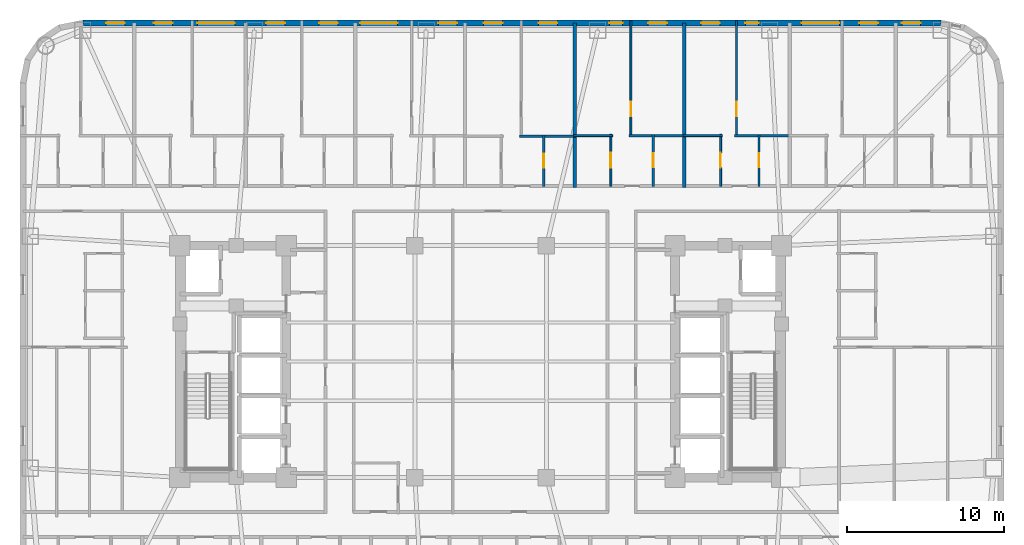
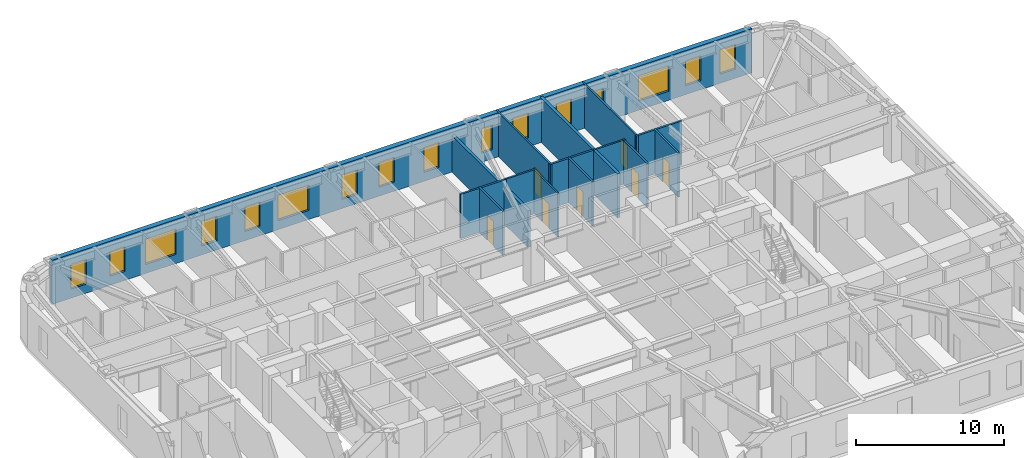
# One storey, part 10 of 13: 16 windows, 15 walls, 7 doors, 23 openings.
"""IFC4 building model written with IfcOpenShell, lengths in metres."""

from ifc_helpers import new_model, si_unit, direction, frame, frame_2d, origin, place, context, subcontext, project, spatial, rectangle, extrude, material, layer, layer_set, type_object, element, fill, save


model = new_model("IFC4")

# Units and contexts
model_context = context("Model", 3, precision=1e-05, world=origin(), true_north=direction((0.0, 1.0)))
body_context = subcontext(model_context, "Body", "Model", "MODEL_VIEW")
ifc_project = project(units=[si_unit("LENGTHUNIT", "METRE"), si_unit("AREAUNIT", "SQUARE_METRE"), si_unit("VOLUMEUNIT", "CUBIC_METRE"), si_unit("PLANEANGLEUNIT", "RADIAN"), si_unit("MASSUNIT", "GRAM", prefix="KILO")], contexts=[model_context])

# Site, building, storey
site_placement = place(None, origin())
site = spatial("IfcSite", under=ifc_project, at=site_placement, CompositionType="ELEMENT")
building_placement = place(site_placement, origin())
building = spatial("IfcBuilding", under=site, at=building_placement, Name="Voryun Gate Residences", CompositionType="ELEMENT")
storey_placement = place(building_placement, frame((0.0, 0.0, 120.89990234375)))
storey = spatial("IfcBuildingStorey", under=building, at=storey_placement, Name="L29", CompositionType="ELEMENT", Elevation=120.89990234375)

# Wall, openings, windows
ifc_material_1 = material(Name="Granite masonry", Category="masonry")
ifc_layer_1 = layer(ifc_material_1, 0.3798828125, Name="W_EXT_GRANITE_380")
ifc_layer_set_1 = layer_set([ifc_layer_1], Name="Granite masonry")
wall_type_1 = type_object("IfcWallType", Name="W_EXT_GRANITE_380", PredefinedType="ELEMENTEDWALL", material=ifc_layer_set_1)
wall_1_placement = place(storey_placement, frame((-25.38134765625, 21.610107421875, 0.0), z_axis=(0.0, 0.0, 1.0), x_axis=(1.0, 0.0, 0.0)))
wall_1 = element("IfcWall", 1, at=wall_1_placement, inside=storey, type_object=wall_type_1, Name="Exterior wall WEXT-L29-11", PredefinedType="ELEMENTEDWALL", context=body_context, shape_type="SweptSolid", body=[
    extrude(rectangle(XDim=54.7626953125, YDim=0.3798828125, at=frame_2d((27.38134765625, 0.0))), origin(), (0.0, 0.0, 1.0), 3.650146484375),
])
opening_1_placement = place(wall_1_placement, frame((7.29541015625, 0.0, 0.75)))
opening_1 = element("IfcOpeningElement", 2, at=opening_1_placement, cuts=wall_1, Name="Opening WN2", PredefinedType="OPENING", context=body_context, shape_type="SweptSolid", body=[
    extrude(rectangle(XDim=2.39990234375, YDim=2.10009765625, at=frame_2d((1.199951171875, 1.050048828125))), frame((0.0, 0.199951171875, 0.0), z_axis=(0.0, -1.0, 0.0), x_axis=(1.0, 0.0, 0.0)), (0.0, 0.0, 1.0), 0.39990234375),
])
opening_2_placement = place(wall_1_placement, frame((17.68603515625, 0.0, 0.75)))
opening_2 = element("IfcOpeningElement", 3, at=opening_2_placement, cuts=wall_1, Name="Opening WN2", PredefinedType="OPENING", context=body_context, shape_type="SweptSolid", body=[
    extrude(rectangle(XDim=2.39990234375, YDim=2.10009765625, at=frame_2d((1.199951171875, 1.050048828125))), frame((0.0, 0.199951171875, 0.0), z_axis=(0.0, -1.0, 0.0), x_axis=(1.0, 0.0, 0.0)), (0.0, 0.0, 1.0), 0.39990234375),
])
opening_3_placement = place(wall_1_placement, frame((45.8671875, 0.0, 0.75)))
opening_3 = element("IfcOpeningElement", 4, at=opening_3_placement, cuts=wall_1, Name="Opening WN2", PredefinedType="OPENING", context=body_context, shape_type="SweptSolid", body=[
    extrude(rectangle(XDim=2.39990234375, YDim=2.10009765625, at=frame_2d((1.199951171875, 1.050048828125))), frame((0.0, 0.199951171875, 0.0), z_axis=(0.0, -1.0, 0.0), x_axis=(1.0, 0.0, 0.0)), (0.0, 0.0, 1.0), 0.39990234375),
])
opening_4_placement = place(wall_1_placement, frame((1.481201171875, 0.0, 0.75)))
opening_4 = element("IfcOpeningElement", 5, at=opening_4_placement, cuts=wall_1, Name="Opening WN6", PredefinedType="OPENING", context=body_context, shape_type="SweptSolid", body=[
    extrude(rectangle(XDim=1.199951171875, YDim=2.050048828125, at=frame_2d((0.60009765625, 1.02490234375))), frame((0.0, 0.199951171875, 0.0), z_axis=(0.0, -1.0, 0.0), x_axis=(1.0, 0.0, 0.0)), (0.0, 0.0, 1.0), 0.39990234375),
])
opening_5_placement = place(wall_1_placement, frame((4.521728515625, 0.0, 0.75)))
opening_5 = element("IfcOpeningElement", 6, at=opening_5_placement, cuts=wall_1, Name="Opening WN6", PredefinedType="OPENING", context=body_context, shape_type="SweptSolid", body=[
    extrude(rectangle(XDim=1.199951171875, YDim=2.050048828125, at=frame_2d((0.60009765625, 1.02490234375))), frame((0.0, 0.199951171875, 0.0), z_axis=(0.0, -1.0, 0.0), x_axis=(1.0, 0.0, 0.0)), (0.0, 0.0, 1.0), 0.39990234375),
])
opening_6_placement = place(wall_1_placement, frame((11.6962890625, 0.0, 0.75)))
opening_6 = element("IfcOpeningElement", 7, at=opening_6_placement, cuts=wall_1, Name="Opening WN6", PredefinedType="OPENING", context=body_context, shape_type="SweptSolid", body=[
    extrude(rectangle(XDim=1.199951171875, YDim=2.050048828125, at=frame_2d((0.60009765625, 1.02490234375))), frame((0.0, 0.199951171875, 0.0), z_axis=(0.0, -1.0, 0.0), x_axis=(1.0, 0.0, 0.0)), (0.0, 0.0, 1.0), 0.39990234375),
])
opening_7_placement = place(wall_1_placement, frame((15.076416015625, 0.0, 0.75)))
opening_7 = element("IfcOpeningElement", 8, at=opening_7_placement, cuts=wall_1, Name="Opening WN6", PredefinedType="OPENING", context=body_context, shape_type="SweptSolid", body=[
    extrude(rectangle(XDim=1.199951171875, YDim=2.050048828125, at=frame_2d((0.60009765625, 1.02490234375))), frame((0.0, 0.199951171875, 0.0), z_axis=(0.0, -1.0, 0.0), x_axis=(1.0, 0.0, 0.0)), (0.0, 0.0, 1.0), 0.39990234375),
])
opening_8_placement = place(wall_1_placement, frame((22.67626953125, 0.0, 0.75)))
opening_8 = element("IfcOpeningElement", 9, at=opening_8_placement, cuts=wall_1, Name="Opening WN6", PredefinedType="OPENING", context=body_context, shape_type="SweptSolid", body=[
    extrude(rectangle(XDim=1.199951171875, YDim=2.050048828125, at=frame_2d((0.60009765625, 1.02490234375))), frame((0.0, 0.199951171875, 0.0), z_axis=(0.0, -1.0, 0.0), x_axis=(1.0, 0.0, 0.0)), (0.0, 0.0, 1.0), 0.39990234375),
])
opening_9_placement = place(wall_1_placement, frame((25.576416015625, 0.0, 0.75)))
opening_9 = element("IfcOpeningElement", 10, at=opening_9_placement, cuts=wall_1, Name="Opening WN6", PredefinedType="OPENING", context=body_context, shape_type="SweptSolid", body=[
    extrude(rectangle(XDim=1.199951171875, YDim=2.050048828125, at=frame_2d((0.60009765625, 1.02490234375))), frame((0.0, 0.199951171875, 0.0), z_axis=(0.0, -1.0, 0.0), x_axis=(1.0, 0.0, 0.0)), (0.0, 0.0, 1.0), 0.39990234375),
])
opening_10_placement = place(wall_1_placement, frame((29.076416015625, 0.0, 0.75)))
opening_10 = element("IfcOpeningElement", 11, at=opening_10_placement, cuts=wall_1, Name="Opening WN6", PredefinedType="OPENING", context=body_context, shape_type="SweptSolid", body=[
    extrude(rectangle(XDim=1.199951171875, YDim=2.050048828125, at=frame_2d((0.60009765625, 1.02490234375))), frame((0.0, 0.199951171875, 0.0), z_axis=(0.0, -1.0, 0.0), x_axis=(1.0, 0.0, 0.0)), (0.0, 0.0, 1.0), 0.39990234375),
])
opening_11_placement = place(wall_1_placement, frame((33.59130859375, 0.0, 0.75)))
opening_11 = element("IfcOpeningElement", 12, at=opening_11_placement, cuts=wall_1, Name="Opening WN9", PredefinedType="OPENING", context=body_context, shape_type="SweptSolid", body=[
    extrude(rectangle(XDim=0.85009765625, YDim=2.050048828125, at=frame_2d((0.425048828125, 1.02490234375))), frame((0.0, 0.199951171875, 0.0), z_axis=(0.0, -1.0, 0.0), x_axis=(1.0, 0.0, 0.0)), (0.0, 0.0, 1.0), 0.39990234375),
])
opening_12_placement = place(wall_1_placement, frame((36.076416015625, 0.0, 0.75)))
opening_12 = element("IfcOpeningElement", 13, at=opening_12_placement, cuts=wall_1, Name="Opening WN6", PredefinedType="OPENING", context=body_context, shape_type="SweptSolid", body=[
    extrude(rectangle(XDim=1.199951171875, YDim=2.050048828125, at=frame_2d((0.60009765625, 1.02490234375))), frame((0.0, 0.199951171875, 0.0), z_axis=(0.0, -1.0, 0.0), x_axis=(1.0, 0.0, 0.0)), (0.0, 0.0, 1.0), 0.39990234375),
])
opening_13_placement = place(wall_1_placement, frame((39.44580078125, 0.0, 0.75)))
opening_13 = element("IfcOpeningElement", 14, at=opening_13_placement, cuts=wall_1, Name="Opening WN6", PredefinedType="OPENING", context=body_context, shape_type="SweptSolid", body=[
    extrude(rectangle(XDim=1.199951171875, YDim=2.050048828125, at=frame_2d((0.60009765625, 1.02490234375))), frame((0.0, 0.199951171875, 0.0), z_axis=(0.0, -1.0, 0.0), x_axis=(1.0, 0.0, 0.0)), (0.0, 0.0, 1.0), 0.39990234375),
])
opening_14_placement = place(wall_1_placement, frame((42.270263671875, 0.0, 0.75)))
opening_14 = element("IfcOpeningElement", 15, at=opening_14_placement, cuts=wall_1, Name="Opening WN9", PredefinedType="OPENING", context=body_context, shape_type="SweptSolid", body=[
    extrude(rectangle(XDim=0.85009765625, YDim=2.050048828125, at=frame_2d((0.425048828125, 1.02490234375))), frame((0.0, 0.199951171875, 0.0), z_axis=(0.0, -1.0, 0.0), x_axis=(1.0, 0.0, 0.0)), (0.0, 0.0, 1.0), 0.39990234375),
])
opening_15_placement = place(wall_1_placement, frame((49.55419921875, 0.0, 0.75)))
opening_15 = element("IfcOpeningElement", 16, at=opening_15_placement, cuts=wall_1, Name="Opening WN6", PredefinedType="OPENING", context=body_context, shape_type="SweptSolid", body=[
    extrude(rectangle(XDim=1.199951171875, YDim=2.050048828125, at=frame_2d((0.60009765625, 1.02490234375))), frame((0.0, 0.199951171875, 0.0), z_axis=(0.0, -1.0, 0.0), x_axis=(1.0, 0.0, 0.0)), (0.0, 0.0, 1.0), 0.39990234375),
])
opening_16_placement = place(wall_1_placement, frame((52.26611328125, 0.0, 0.75)))
opening_16 = element("IfcOpeningElement", 17, at=opening_16_placement, cuts=wall_1, Name="Opening WN6", PredefinedType="OPENING", context=body_context, shape_type="SweptSolid", body=[
    extrude(rectangle(XDim=1.199951171875, YDim=2.050048828125, at=frame_2d((0.60009765625, 1.02490234375))), frame((0.0, 0.199951171875, 0.0), z_axis=(0.0, -1.0, 0.0), x_axis=(1.0, 0.0, 0.0)), (0.0, 0.0, 1.0), 0.39990234375),
])
ifc_material_2 = material(Name="Laminated low-E glass", Category="glass")
window_type_1 = type_object("IfcWindowType", Name="WN_POD_SLOT_1200", PartitioningType="SINGLE_PANEL", PredefinedType="WINDOW", material=ifc_material_2)
window_1_placement = place(opening_4_placement, origin())
window_1 = element("IfcWindow", 18, at=window_1_placement, inside=storey, type_object=window_type_1, Name="Window WN-L29-DWFIX-02", OverallHeight=2.050048828125, OverallWidth=1.199951171875, PartitioningType="SINGLE_PANEL", PredefinedType="WINDOW", context=body_context, shape_type="SweptSolid", body=[
    extrude(rectangle(XDim=1.199951171875, YDim=2.050048828125, at=frame_2d((0.60009765625, 1.02490234375))), frame((0.0, 0.030029296875, 0.0), z_axis=(0.0, -1.0, 0.0), x_axis=(1.0, 0.0, 0.0)), (0.0, 0.0, 1.0), 0.06005859375),
])
fill(opening_4, window_1)
window_2_placement = place(opening_5_placement, origin())
window_2 = element("IfcWindow", 19, at=window_2_placement, inside=storey, type_object=window_type_1, Name="Window WN-L29-DWFIX-03", OverallHeight=2.050048828125, OverallWidth=1.199951171875, PartitioningType="SINGLE_PANEL", PredefinedType="WINDOW", context=body_context, shape_type="SweptSolid", body=[
    extrude(rectangle(XDim=1.199951171875, YDim=2.050048828125, at=frame_2d((0.60009765625, 1.02490234375))), frame((0.0, 0.030029296875, 0.0), z_axis=(0.0, -1.0, 0.0), x_axis=(1.0, 0.0, 0.0)), (0.0, 0.0, 1.0), 0.06005859375),
])
fill(opening_5, window_2)
window_3_placement = place(opening_6_placement, origin())
window_3 = element("IfcWindow", 20, at=window_3_placement, inside=storey, type_object=window_type_1, Name="Window WN-L29-DWFIX-04", OverallHeight=2.050048828125, OverallWidth=1.199951171875, PartitioningType="SINGLE_PANEL", PredefinedType="WINDOW", context=body_context, shape_type="SweptSolid", body=[
    extrude(rectangle(XDim=1.199951171875, YDim=2.050048828125, at=frame_2d((0.60009765625, 1.02490234375))), frame((0.0, 0.030029296875, 0.0), z_axis=(0.0, -1.0, 0.0), x_axis=(1.0, 0.0, 0.0)), (0.0, 0.0, 1.0), 0.06005859375),
])
fill(opening_6, window_3)
window_4_placement = place(opening_7_placement, origin())
window_4 = element("IfcWindow", 21, at=window_4_placement, inside=storey, type_object=window_type_1, Name="Window WN-L29-DWFIX-05", OverallHeight=2.050048828125, OverallWidth=1.199951171875, PartitioningType="SINGLE_PANEL", PredefinedType="WINDOW", context=body_context, shape_type="SweptSolid", body=[
    extrude(rectangle(XDim=1.199951171875, YDim=2.050048828125, at=frame_2d((0.60009765625, 1.02490234375))), frame((0.0, 0.030029296875, 0.0), z_axis=(0.0, -1.0, 0.0), x_axis=(1.0, 0.0, 0.0)), (0.0, 0.0, 1.0), 0.06005859375),
])
fill(opening_7, window_4)
window_5_placement = place(opening_8_placement, origin())
window_5 = element("IfcWindow", 22, at=window_5_placement, inside=storey, type_object=window_type_1, Name="Window WN-L29-DWFIX-06", OverallHeight=2.050048828125, OverallWidth=1.199951171875, PartitioningType="SINGLE_PANEL", PredefinedType="WINDOW", context=body_context, shape_type="SweptSolid", body=[
    extrude(rectangle(XDim=1.199951171875, YDim=2.050048828125, at=frame_2d((0.60009765625, 1.02490234375))), frame((0.0, 0.030029296875, 0.0), z_axis=(0.0, -1.0, 0.0), x_axis=(1.0, 0.0, 0.0)), (0.0, 0.0, 1.0), 0.06005859375),
])
fill(opening_8, window_5)
window_6_placement = place(opening_9_placement, origin())
window_6 = element("IfcWindow", 23, at=window_6_placement, inside=storey, type_object=window_type_1, Name="Window WN-L29-DWFIX-07", OverallHeight=2.050048828125, OverallWidth=1.199951171875, PartitioningType="SINGLE_PANEL", PredefinedType="WINDOW", context=body_context, shape_type="SweptSolid", body=[
    extrude(rectangle(XDim=1.199951171875, YDim=2.050048828125, at=frame_2d((0.60009765625, 1.02490234375))), frame((0.0, 0.030029296875, 0.0), z_axis=(0.0, -1.0, 0.0), x_axis=(1.0, 0.0, 0.0)), (0.0, 0.0, 1.0), 0.06005859375),
])
fill(opening_9, window_6)
window_7_placement = place(opening_10_placement, origin())
window_7 = element("IfcWindow", 24, at=window_7_placement, inside=storey, type_object=window_type_1, Name="Window WN-L29-DWFIX-08", OverallHeight=2.050048828125, OverallWidth=1.199951171875, PartitioningType="SINGLE_PANEL", PredefinedType="WINDOW", context=body_context, shape_type="SweptSolid", body=[
    extrude(rectangle(XDim=1.199951171875, YDim=2.050048828125, at=frame_2d((0.60009765625, 1.02490234375))), frame((0.0, 0.030029296875, 0.0), z_axis=(0.0, -1.0, 0.0), x_axis=(1.0, 0.0, 0.0)), (0.0, 0.0, 1.0), 0.06005859375),
])
fill(opening_10, window_7)
window_8_placement = place(opening_12_placement, origin())
window_8 = element("IfcWindow", 25, at=window_8_placement, inside=storey, type_object=window_type_1, Name="Window WN-L29-DWFIX-10", OverallHeight=2.050048828125, OverallWidth=1.199951171875, PartitioningType="SINGLE_PANEL", PredefinedType="WINDOW", context=body_context, shape_type="SweptSolid", body=[
    extrude(rectangle(XDim=1.199951171875, YDim=2.050048828125, at=frame_2d((0.60009765625, 1.02490234375))), frame((0.0, 0.030029296875, 0.0), z_axis=(0.0, -1.0, 0.0), x_axis=(1.0, 0.0, 0.0)), (0.0, 0.0, 1.0), 0.06005859375),
])
fill(opening_12, window_8)
window_9_placement = place(opening_13_placement, origin())
window_9 = element("IfcWindow", 26, at=window_9_placement, inside=storey, type_object=window_type_1, Name="Window WN-L29-DWFIX-11", OverallHeight=2.050048828125, OverallWidth=1.199951171875, PartitioningType="SINGLE_PANEL", PredefinedType="WINDOW", context=body_context, shape_type="SweptSolid", body=[
    extrude(rectangle(XDim=1.199951171875, YDim=2.050048828125, at=frame_2d((0.60009765625, 1.02490234375))), frame((0.0, 0.030029296875, 0.0), z_axis=(0.0, -1.0, 0.0), x_axis=(1.0, 0.0, 0.0)), (0.0, 0.0, 1.0), 0.06005859375),
])
fill(opening_13, window_9)
window_10_placement = place(opening_15_placement, origin())
window_10 = element("IfcWindow", 27, at=window_10_placement, inside=storey, type_object=window_type_1, Name="Window WN-L29-DWFIX-13", OverallHeight=2.050048828125, OverallWidth=1.199951171875, PartitioningType="SINGLE_PANEL", PredefinedType="WINDOW", context=body_context, shape_type="SweptSolid", body=[
    extrude(rectangle(XDim=1.199951171875, YDim=2.050048828125, at=frame_2d((0.60009765625, 1.02490234375))), frame((0.0, 0.030029296875, 0.0), z_axis=(0.0, -1.0, 0.0), x_axis=(1.0, 0.0, 0.0)), (0.0, 0.0, 1.0), 0.06005859375),
])
fill(opening_15, window_10)
window_11_placement = place(opening_16_placement, origin())
window_11 = element("IfcWindow", 28, at=window_11_placement, inside=storey, type_object=window_type_1, Name="Window WN-L29-DWFIX-14", OverallHeight=2.050048828125, OverallWidth=1.199951171875, PartitioningType="SINGLE_PANEL", PredefinedType="WINDOW", context=body_context, shape_type="SweptSolid", body=[
    extrude(rectangle(XDim=1.199951171875, YDim=2.050048828125, at=frame_2d((0.60009765625, 1.02490234375))), frame((0.0, 0.030029296875, 0.0), z_axis=(0.0, -1.0, 0.0), x_axis=(1.0, 0.0, 0.0)), (0.0, 0.0, 1.0), 0.06005859375),
])
fill(opening_16, window_11)
ifc_material_3 = material(Name="Laminated low-E glass", Category="glass")
window_type_2 = type_object("IfcWindowType", Name="WN_RES_CASEMENT_850", PartitioningType="SINGLE_PANEL", PredefinedType="WINDOW", material=ifc_material_3)
window_12_placement = place(opening_11_placement, origin())
window_12 = element("IfcWindow", 29, at=window_12_placement, inside=storey, type_object=window_type_2, Name="Window WN-L29-DWFIX-09", OverallHeight=2.050048828125, OverallWidth=0.85009765625, PartitioningType="SINGLE_PANEL", PredefinedType="WINDOW", context=body_context, shape_type="SweptSolid", body=[
    extrude(rectangle(XDim=0.85009765625, YDim=2.050048828125, at=frame_2d((0.425048828125, 1.02490234375))), frame((0.0, 0.030029296875, 0.0), z_axis=(0.0, -1.0, 0.0), x_axis=(1.0, 0.0, 0.0)), (0.0, 0.0, 1.0), 0.06005859375),
])
fill(opening_11, window_12)
window_13_placement = place(opening_14_placement, origin())
window_13 = element("IfcWindow", 30, at=window_13_placement, inside=storey, type_object=window_type_2, Name="Window WN-L29-DWFIX-12", OverallHeight=2.050048828125, OverallWidth=0.85009765625, PartitioningType="SINGLE_PANEL", PredefinedType="WINDOW", context=body_context, shape_type="SweptSolid", body=[
    extrude(rectangle(XDim=0.85009765625, YDim=2.050048828125, at=frame_2d((0.425048828125, 1.02490234375))), frame((0.0, 0.030029296875, 0.0), z_axis=(0.0, -1.0, 0.0), x_axis=(1.0, 0.0, 0.0)), (0.0, 0.0, 1.0), 0.06005859375),
])
fill(opening_14, window_13)
ifc_material_4 = material(Name="Laminated low-E glass", Category="glass")
window_type_3 = type_object("IfcWindowType", Name="WN_RES_WIDE_2400", PartitioningType="SINGLE_PANEL", PredefinedType="WINDOW", material=ifc_material_4)
window_14_placement = place(opening_1_placement, origin())
window_14 = element("IfcWindow", 31, at=window_14_placement, inside=storey, type_object=window_type_3, Name="Window WN-WEXT-L29-11-01", OverallHeight=2.10009765625, OverallWidth=2.39990234375, PartitioningType="SINGLE_PANEL", PredefinedType="WINDOW", context=body_context, shape_type="SweptSolid", body=[
    extrude(rectangle(XDim=2.39990234375, YDim=2.10009765625, at=frame_2d((1.199951171875, 1.050048828125))), frame((0.0, 0.030029296875, 0.0), z_axis=(0.0, -1.0, 0.0), x_axis=(1.0, 0.0, 0.0)), (0.0, 0.0, 1.0), 0.06005859375),
])
fill(opening_1, window_14)
window_15_placement = place(opening_2_placement, origin())
window_15 = element("IfcWindow", 32, at=window_15_placement, inside=storey, type_object=window_type_3, Name="Window WN-WEXT-L29-11-02", OverallHeight=2.10009765625, OverallWidth=2.39990234375, PartitioningType="SINGLE_PANEL", PredefinedType="WINDOW", context=body_context, shape_type="SweptSolid", body=[
    extrude(rectangle(XDim=2.39990234375, YDim=2.10009765625, at=frame_2d((1.199951171875, 1.050048828125))), frame((0.0, 0.030029296875, 0.0), z_axis=(0.0, -1.0, 0.0), x_axis=(1.0, 0.0, 0.0)), (0.0, 0.0, 1.0), 0.06005859375),
])
fill(opening_2, window_15)
window_16_placement = place(opening_3_placement, origin())
window_16 = element("IfcWindow", 33, at=window_16_placement, inside=storey, type_object=window_type_3, Name="Window WN-WEXT-L29-11-04", OverallHeight=2.10009765625, OverallWidth=2.39990234375, PartitioningType="SINGLE_PANEL", PredefinedType="WINDOW", context=body_context, shape_type="SweptSolid", body=[
    extrude(rectangle(XDim=2.39990234375, YDim=2.10009765625, at=frame_2d((1.199951171875, 1.050048828125))), frame((0.0, 0.030029296875, 0.0), z_axis=(0.0, -1.0, 0.0), x_axis=(1.0, 0.0, 0.0)), (0.0, 0.0, 1.0), 0.06005859375),
])
fill(opening_3, window_16)

# Walls
ifc_material_5 = material(Name="Concrete C40/50", Category="concrete")
ifc_layer_2 = layer(ifc_material_5, 0.219970703125, Name="W_PARTY_ACOUSTIC_220")
ifc_layer_set_2 = layer_set([ifc_layer_2], Name="Concrete C40/50")
wall_type_2 = type_object("IfcWallType", Name="W_PARTY_ACOUSTIC_220", PredefinedType="PARTITIONING", material=ifc_layer_set_2)
wall_2_placement = place(storey_placement, frame((6.0, 11.1201171875, 0.0), z_axis=(0.0, 0.0, 1.0), x_axis=(0.0, 1.0, 0.0)))
element("IfcWall", 34, at=wall_2_placement, inside=storey, type_object=wall_type_2, Name="Partition wall WP-L29-NPTY-5", PredefinedType="PARTITIONING", context=body_context, shape_type="SweptSolid", body=[
    extrude(rectangle(XDim=10.489990234375, YDim=0.219970703125, at=frame_2d((5.2451171875, 0.0))), origin(), (0.0, 0.0, 1.0), 3.0400390625),
])
wall_3_placement = place(storey_placement, frame((13.0, 11.1201171875, 0.0), z_axis=(0.0, 0.0, 1.0), x_axis=(0.0, 1.0, 0.0)))
element("IfcWall", 35, at=wall_3_placement, inside=storey, type_object=wall_type_2, Name="Partition wall WP-L29-NPTY-6", PredefinedType="PARTITIONING", context=body_context, shape_type="SweptSolid", body=[
    extrude(rectangle(XDim=10.489990234375, YDim=0.219970703125, at=frame_2d((5.2451171875, 0.0))), origin(), (0.0, 0.0, 1.0), 3.650146484375),
])

# Wall, opening, door
ifc_material_6 = material(Name="Gypsum acoustic partition")
ifc_layer_3 = layer(ifc_material_6, 0.125, Name="W_UNIT_PART_125")
ifc_layer_set_3 = layer_set([ifc_layer_3], Name="Gypsum acoustic partition")
wall_type_3 = type_object("IfcWallType", Name="W_UNIT_PART_125", PredefinedType="PARTITIONING", material=ifc_layer_set_3)
wall_4_placement = place(storey_placement, frame((9.590087890625, 14.340087890625, 0.0), z_axis=(0.0, 0.0, 1.0), x_axis=(0.0, 1.0, 0.0)))
wall_4 = element("IfcWall", 36, at=wall_4_placement, inside=storey, type_object=wall_type_3, Name="Partition wall WP-L29-N6-OVR", PredefinedType="PARTITIONING", context=body_context, shape_type="SweptSolid", body=[
    extrude(rectangle(XDim=7.419921875, YDim=0.125, at=frame_2d((3.7099609375, 0.0))), origin(), (0.0, 0.0, 1.0), 3.650146484375),
])
opening_17_placement = place(wall_4_placement, frame((1.330810546875, 0.0, 0.0)))
opening_17 = element("IfcOpeningElement", 37, at=opening_17_placement, cuts=wall_4, Name="Opening D-INT-2", PredefinedType="OPENING", context=body_context, shape_type="SweptSolid", body=[
    extrude(rectangle(XDim=0.89990234375, YDim=2.050048828125, at=frame_2d((0.449951171875, 1.02490234375))), frame((0.0, 0.072509765625, 0.0), z_axis=(0.0, -1.0, 0.0), x_axis=(1.0, 0.0, 0.0)), (0.0, 0.0, 1.0), 0.14501953125),
])
ifc_material_7 = material(Name="Architectural oak veneer")
door_type_1 = type_object("IfcDoorType", Name="DR_INT_BATH_900", OperationType="NOTDEFINED", PredefinedType="DOOR", material=ifc_material_7)
door_1_placement = place(opening_17_placement, origin())
door_1 = element("IfcDoor", 38, at=door_1_placement, inside=storey, type_object=door_type_1, Name="Door DR-L29-N6-DMB", OperationType="SINGLE_SWING_RIGHT", OverallHeight=2.050048828125, OverallWidth=0.89990234375, PredefinedType="DOOR", context=body_context, shape_type="SweptSolid", body=[
    extrude(rectangle(XDim=0.89990234375, YDim=2.050048828125, at=frame_2d((0.449951171875, 1.02490234375))), frame((0.0, 0.02490234375, 0.0), z_axis=(0.0, -1.0, 0.0), x_axis=(1.0, 0.0, 0.0)), (0.0, 0.0, 1.0), 0.050048828125),
])
fill(opening_17, door_1)

wall_5_placement = place(storey_placement, frame((8.31005859375, 11.179931640625, 0.0), z_axis=(0.0, 0.0, 1.0), x_axis=(0.0, 1.0, 0.0)))
wall_5 = element("IfcWall", 39, at=wall_5_placement, inside=storey, type_object=wall_type_3, Name="Partition wall WP-L29-N6-IVK", PredefinedType="PARTITIONING", context=body_context, shape_type="SweptSolid", body=[
    extrude(rectangle(XDim=3.320068359375, YDim=0.125, at=frame_2d((1.66015625, 0.0))), origin(), (0.0, 0.0, 1.0), 3.650146484375),
])
opening_18_placement = place(wall_5_placement, frame((1.18505859375, 0.0, 0.0)))
opening_18 = element("IfcOpeningElement", 40, at=opening_18_placement, cuts=wall_5, Name="Opening D-INT-1", PredefinedType="OPENING", context=body_context, shape_type="SweptSolid", body=[
    extrude(rectangle(XDim=0.949951171875, YDim=2.050048828125, at=frame_2d((0.47509765625, 1.02490234375))), frame((0.0, 0.072509765625, 0.0), z_axis=(0.0, -1.0, 0.0), x_axis=(1.0, 0.0, 0.0)), (0.0, 0.0, 1.0), 0.14501953125),
])
ifc_material_8 = material(Name="Architectural oak veneer")
door_type_2 = type_object("IfcDoorType", Name="DR_INT_ROOM_950", OperationType="NOTDEFINED", PredefinedType="DOOR", material=ifc_material_8)
door_2_placement = place(opening_18_placement, origin())
door_2 = element("IfcDoor", 41, at=door_2_placement, inside=storey, type_object=door_type_2, Name="Door DR-L29-N6-DK", OperationType="SINGLE_SWING_LEFT", OverallHeight=2.050048828125, OverallWidth=0.949951171875, PredefinedType="DOOR", context=body_context, shape_type="SweptSolid", body=[
    extrude(rectangle(XDim=0.949951171875, YDim=2.050048828125, at=frame_2d((0.47509765625, 1.02490234375))), frame((0.0, 0.02490234375, 0.0), z_axis=(0.0, -1.0, 0.0), x_axis=(1.0, 0.0, 0.0)), (0.0, 0.0, 1.0), 0.050048828125),
])
fill(opening_18, door_2)

# Wall
wall_6_placement = place(storey_placement, frame((5.925048828125, 14.419921875, 0.0), z_axis=(0.0, 0.0, 1.0), x_axis=(1.0, 0.0, 0.0)))
element("IfcWall", 42, at=wall_6_placement, inside=storey, type_object=wall_type_3, Name="Partition wall WP-L29-N6-HZK", PredefinedType="PARTITIONING", context=body_context, shape_type="SweptSolid", body=[
    extrude(rectangle(XDim=2.5048828125, YDim=0.125, at=frame_2d((1.25244140625, 0.0))), origin(), (0.0, 0.0, 1.0), 3.650146484375),
])

# Wall, opening, door
wall_7_placement = place(storey_placement, frame((16.3291015625, 14.340087890625, 0.0), z_axis=(0.0, 0.0, 1.0), x_axis=(0.0, 1.0, 0.0)))
wall_7 = element("IfcWall", 43, at=wall_7_placement, inside=storey, type_object=wall_type_3, Name="Partition wall WP-L29-N7-OVR", PredefinedType="PARTITIONING", context=body_context, shape_type="SweptSolid", body=[
    extrude(rectangle(XDim=7.419921875, YDim=0.125, at=frame_2d((3.7099609375, 0.0))), origin(), (0.0, 0.0, 1.0), 3.650146484375),
])
opening_19_placement = place(wall_7_placement, frame((1.330810546875, 0.0, 0.0)))
opening_19 = element("IfcOpeningElement", 44, at=opening_19_placement, cuts=wall_7, Name="Opening D-INT-2", PredefinedType="OPENING", context=body_context, shape_type="SweptSolid", body=[
    extrude(rectangle(XDim=0.89990234375, YDim=2.050048828125, at=frame_2d((0.449951171875, 1.02490234375))), frame((0.0, 0.072509765625, 0.0), z_axis=(0.0, -1.0, 0.0), x_axis=(1.0, 0.0, 0.0)), (0.0, 0.0, 1.0), 0.14501953125),
])
door_3_placement = place(opening_19_placement, origin())
door_3 = element("IfcDoor", 45, at=door_3_placement, inside=storey, type_object=door_type_1, Name="Door DR-L29-N7-DMB", OperationType="SINGLE_SWING_RIGHT", OverallHeight=2.050048828125, OverallWidth=0.89990234375, PredefinedType="DOOR", context=body_context, shape_type="SweptSolid", body=[
    extrude(rectangle(XDim=0.89990234375, YDim=2.050048828125, at=frame_2d((0.449951171875, 1.02490234375))), frame((0.0, 0.02490234375, 0.0), z_axis=(0.0, -1.0, 0.0), x_axis=(1.0, 0.0, 0.0)), (0.0, 0.0, 1.0), 0.050048828125),
])
fill(opening_19, door_3)

wall_8_placement = place(storey_placement, frame((15.31005859375, 11.179931640625, 0.0), z_axis=(0.0, 0.0, 1.0), x_axis=(0.0, 1.0, 0.0)))
wall_8 = element("IfcWall", 46, at=wall_8_placement, inside=storey, type_object=wall_type_3, Name="Partition wall WP-L29-N7-IVK", PredefinedType="PARTITIONING", context=body_context, shape_type="SweptSolid", body=[
    extrude(rectangle(XDim=3.320068359375, YDim=0.125, at=frame_2d((1.66015625, 0.0))), origin(), (0.0, 0.0, 1.0), 3.650146484375),
])
opening_20_placement = place(wall_8_placement, frame((1.18505859375, 0.0, 0.0)))
opening_20 = element("IfcOpeningElement", 47, at=opening_20_placement, cuts=wall_8, Name="Opening D-INT-1", PredefinedType="OPENING", context=body_context, shape_type="SweptSolid", body=[
    extrude(rectangle(XDim=0.949951171875, YDim=2.050048828125, at=frame_2d((0.47509765625, 1.02490234375))), frame((0.0, 0.072509765625, 0.0), z_axis=(0.0, -1.0, 0.0), x_axis=(1.0, 0.0, 0.0)), (0.0, 0.0, 1.0), 0.14501953125),
])
door_4_placement = place(opening_20_placement, origin())
door_4 = element("IfcDoor", 48, at=door_4_placement, inside=storey, type_object=door_type_2, Name="Door DR-L29-N7-DK", OperationType="SINGLE_SWING_LEFT", OverallHeight=2.050048828125, OverallWidth=0.949951171875, PredefinedType="DOOR", context=body_context, shape_type="SweptSolid", body=[
    extrude(rectangle(XDim=0.949951171875, YDim=2.050048828125, at=frame_2d((0.47509765625, 1.02490234375))), frame((0.0, 0.02490234375, 0.0), z_axis=(0.0, -1.0, 0.0), x_axis=(1.0, 0.0, 0.0)), (0.0, 0.0, 1.0), 0.050048828125),
])
fill(opening_20, door_4)

# Walls
wall_9_placement = place(storey_placement, frame((12.925048828125, 14.419921875, 0.0), z_axis=(0.0, 0.0, 1.0), x_axis=(1.0, 0.0, 0.0)))
element("IfcWall", 49, at=wall_9_placement, inside=storey, type_object=wall_type_3, Name="Partition wall WP-L29-N7-HZK", PredefinedType="PARTITIONING", context=body_context, shape_type="SweptSolid", body=[
    extrude(rectangle(XDim=2.5048828125, YDim=0.125, at=frame_2d((1.25244140625, 0.0))), origin(), (0.0, 0.0, 1.0), 3.650146484375),
])
ifc_material_9 = material(Name="Gypsum moisture-resistant partition")
ifc_layer_4 = layer(ifc_material_9, 0.14990234375, Name="W_WET_PLUMB_150")
ifc_layer_set_4 = layer_set([ifc_layer_4], Name="Gypsum moisture-resistant partition")
wall_type_4 = type_object("IfcWallType", Name="W_WET_PLUMB_150", PredefinedType="PLUMBINGWALL", material=ifc_layer_set_4)
wall_10_placement = place(storey_placement, frame((2.469970703125, 14.39111328125, 0.0), z_axis=(0.0, 0.0, 1.0), x_axis=(1.0, 0.0, 0.0)))
element("IfcWall", 50, at=wall_10_placement, inside=storey, type_object=wall_type_4, Name="Partition wall WP-L29-N5-HZB", PredefinedType="PLUMBINGWALL", context=body_context, shape_type="SweptSolid", body=[
    extrude(rectangle(XDim=3.60498046875, YDim=0.14990234375, at=frame_2d((1.802490234375, 0.0))), origin(), (0.0, 0.0, 1.0), 3.650146484375),
])

# Wall, opening, door
wall_11_placement = place(storey_placement, frame((4.02001953125, 11.179931640625, 0.0), z_axis=(0.0, 0.0, 1.0), x_axis=(0.0, 1.0, 0.0)))
wall_11 = element("IfcWall", 51, at=wall_11_placement, inside=storey, type_object=wall_type_4, Name="Partition wall WP-L29-N5-IVB", PredefinedType="PLUMBINGWALL", context=body_context, shape_type="SweptSolid", body=[
    extrude(rectangle(XDim=3.291015625, YDim=0.14990234375, at=frame_2d((1.6455078125, 0.0))), origin(), (0.0, 0.0, 1.0), 3.650146484375),
])
opening_21_placement = place(wall_11_placement, frame((1.195556640625, 0.0, 0.0)))
opening_21 = element("IfcOpeningElement", 52, at=opening_21_placement, cuts=wall_11, Name="Opening D-INT-2", PredefinedType="OPENING", context=body_context, shape_type="SweptSolid", body=[
    extrude(rectangle(XDim=0.89990234375, YDim=2.050048828125, at=frame_2d((0.449951171875, 1.02490234375))), frame((0.0, 0.0849609375, 0.0), z_axis=(0.0, -1.0, 0.0), x_axis=(1.0, 0.0, 0.0)), (0.0, 0.0, 1.0), 0.169921875),
])
door_5_placement = place(opening_21_placement, origin())
door_5 = element("IfcDoor", 53, at=door_5_placement, inside=storey, type_object=door_type_1, Name="Door DR-L29-N5-DB", OperationType="SINGLE_SWING_RIGHT", OverallHeight=2.050048828125, OverallWidth=0.89990234375, PredefinedType="DOOR", context=body_context, shape_type="SweptSolid", body=[
    extrude(rectangle(XDim=0.89990234375, YDim=2.050048828125, at=frame_2d((0.449951171875, 1.02490234375))), frame((0.0, 0.02490234375, 0.0), z_axis=(0.0, -1.0, 0.0), x_axis=(1.0, 0.0, 0.0)), (0.0, 0.0, 1.0), 0.050048828125),
])
fill(opening_21, door_5)

# Wall
wall_12_placement = place(storey_placement, frame((9.469970703125, 14.419921875, 0.0), z_axis=(0.0, 0.0, 1.0), x_axis=(1.0, 0.0, 0.0)))
element("IfcWall", 54, at=wall_12_placement, inside=storey, type_object=wall_type_4, Name="Partition wall WP-L29-N6-HZB", PredefinedType="PLUMBINGWALL", context=body_context, shape_type="SweptSolid", body=[
    extrude(rectangle(XDim=3.60498046875, YDim=0.14990234375, at=frame_2d((1.802490234375, 0.0))), origin(), (0.0, 0.0, 1.0), 3.650146484375),
])

# Wall, opening, door
wall_13_placement = place(storey_placement, frame((11.02001953125, 11.179931640625, 0.0), z_axis=(0.0, 0.0, 1.0), x_axis=(0.0, 1.0, 0.0)))
wall_13 = element("IfcWall", 55, at=wall_13_placement, inside=storey, type_object=wall_type_4, Name="Partition wall WP-L29-N6-IVB", PredefinedType="PLUMBINGWALL", context=body_context, shape_type="SweptSolid", body=[
    extrude(rectangle(XDim=3.320068359375, YDim=0.14990234375, at=frame_2d((1.66015625, 0.0))), origin(), (0.0, 0.0, 1.0), 3.650146484375),
])
opening_22_placement = place(wall_13_placement, frame((1.2099609375, 0.0, 0.0)))
opening_22 = element("IfcOpeningElement", 56, at=opening_22_placement, cuts=wall_13, Name="Opening D-INT-2", PredefinedType="OPENING", context=body_context, shape_type="SweptSolid", body=[
    extrude(rectangle(XDim=0.89990234375, YDim=2.050048828125, at=frame_2d((0.449951171875, 1.02490234375))), frame((0.0, 0.0849609375, 0.0), z_axis=(0.0, -1.0, 0.0), x_axis=(1.0, 0.0, 0.0)), (0.0, 0.0, 1.0), 0.169921875),
])
door_6_placement = place(opening_22_placement, origin())
door_6 = element("IfcDoor", 57, at=door_6_placement, inside=storey, type_object=door_type_1, Name="Door DR-L29-N6-DB", OperationType="SINGLE_SWING_RIGHT", OverallHeight=2.050048828125, OverallWidth=0.89990234375, PredefinedType="DOOR", context=body_context, shape_type="SweptSolid", body=[
    extrude(rectangle(XDim=0.89990234375, YDim=2.050048828125, at=frame_2d((0.449951171875, 1.02490234375))), frame((0.0, 0.02490234375, 0.0), z_axis=(0.0, -1.0, 0.0), x_axis=(1.0, 0.0, 0.0)), (0.0, 0.0, 1.0), 0.050048828125),
])
fill(opening_22, door_6)

# Wall
wall_14_placement = place(storey_placement, frame((16.208984375, 14.419921875, 0.0), z_axis=(0.0, 0.0, 1.0), x_axis=(1.0, 0.0, 0.0)))
element("IfcWall", 58, at=wall_14_placement, inside=storey, type_object=wall_type_4, Name="Partition wall WP-L29-N7-HZB", PredefinedType="PLUMBINGWALL", context=body_context, shape_type="SweptSolid", body=[
    extrude(rectangle(XDim=3.60498046875, YDim=0.14990234375, at=frame_2d((1.802490234375, 0.0))), origin(), (0.0, 0.0, 1.0), 3.650146484375),
])

# Wall, opening, door
wall_15_placement = place(storey_placement, frame((17.759033203125, 11.179931640625, 0.0), z_axis=(0.0, 0.0, 1.0), x_axis=(0.0, 1.0, 0.0)))
wall_15 = element("IfcWall", 59, at=wall_15_placement, inside=storey, type_object=wall_type_4, Name="Partition wall WP-L29-N7-IVB", PredefinedType="PLUMBINGWALL", context=body_context, shape_type="SweptSolid", body=[
    extrude(rectangle(XDim=3.320068359375, YDim=0.14990234375, at=frame_2d((1.66015625, 0.0))), origin(), (0.0, 0.0, 1.0), 3.650146484375),
])
opening_23_placement = place(wall_15_placement, frame((1.2099609375, 0.0, 0.0)))
opening_23 = element("IfcOpeningElement", 60, at=opening_23_placement, cuts=wall_15, Name="Opening D-INT-2", PredefinedType="OPENING", context=body_context, shape_type="SweptSolid", body=[
    extrude(rectangle(XDim=0.89990234375, YDim=2.050048828125, at=frame_2d((0.449951171875, 1.02490234375))), frame((0.0, 0.0849609375, 0.0), z_axis=(0.0, -1.0, 0.0), x_axis=(1.0, 0.0, 0.0)), (0.0, 0.0, 1.0), 0.169921875),
])
door_7_placement = place(opening_23_placement, origin())
door_7 = element("IfcDoor", 61, at=door_7_placement, inside=storey, type_object=door_type_1, Name="Door DR-L29-N7-DB", OperationType="SINGLE_SWING_RIGHT", OverallHeight=2.050048828125, OverallWidth=0.89990234375, PredefinedType="DOOR", context=body_context, shape_type="SweptSolid", body=[
    extrude(rectangle(XDim=0.89990234375, YDim=2.050048828125, at=frame_2d((0.449951171875, 1.02490234375))), frame((0.0, 0.02490234375, 0.0), z_axis=(0.0, -1.0, 0.0), x_axis=(1.0, 0.0, 0.0)), (0.0, 0.0, 1.0), 0.050048828125),
])
fill(opening_23, door_7)

save(model, "model.ifc")
